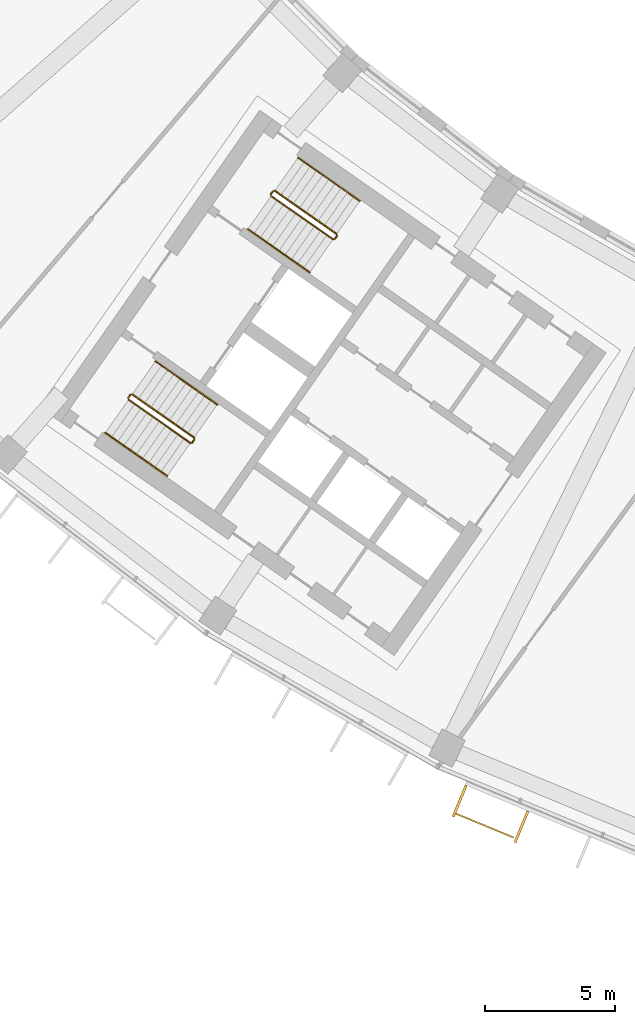
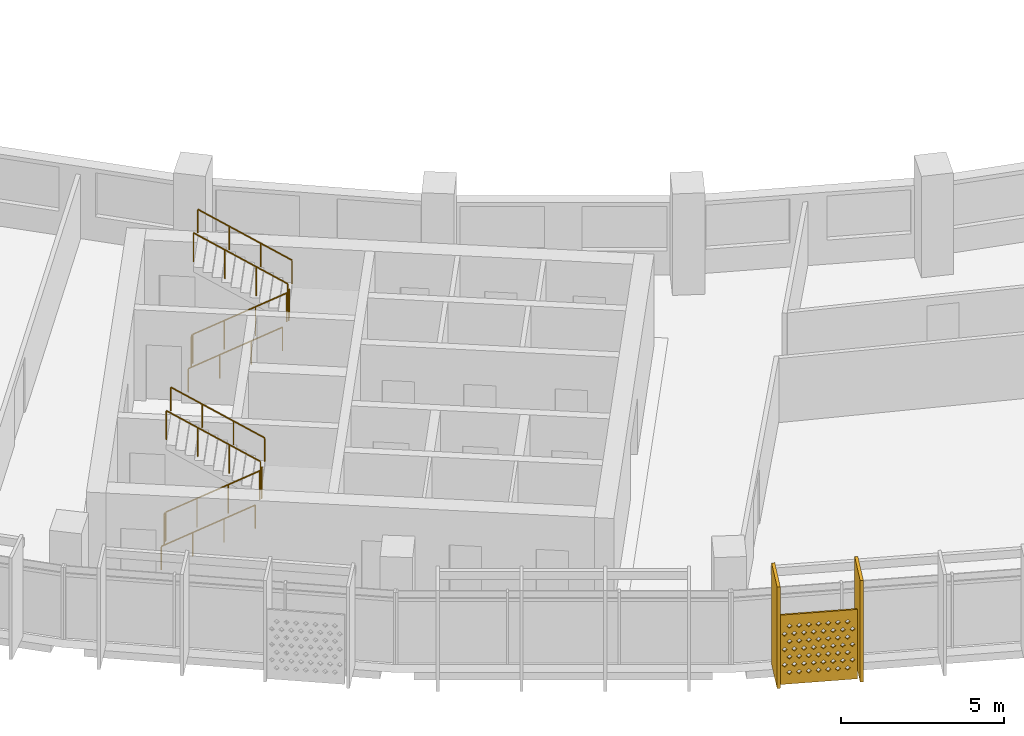
# One storey, part 23 of 28: 10 railings, 3 shading devices.
"""IFC4 building model written with IfcOpenShell, lengths in metres."""

from ifc_helpers import new_model, si_unit, direction, frame, origin, origin_2d, place, context, subcontext, project, spatial, polyline, rectangle, circle, outline, extrude, material, material_profile, profile_set, type_object, element, save


model = new_model("IFC4")

# Units and contexts
model_context = context("Model", 3, precision=1e-05, world=origin(), true_north=direction((0.0, 1.0)))
body_context = subcontext(model_context, "Body", "Model", "MODEL_VIEW")
ifc_project = project(units=[si_unit("LENGTHUNIT", "METRE"), si_unit("AREAUNIT", "SQUARE_METRE"), si_unit("VOLUMEUNIT", "CUBIC_METRE"), si_unit("PLANEANGLEUNIT", "RADIAN"), si_unit("MASSUNIT", "GRAM", prefix="KILO")], contexts=[model_context])

# Site, building, storey
site_placement = place(None, origin())
site = spatial("IfcSite", under=ifc_project, at=site_placement, CompositionType="ELEMENT")
building_placement = place(site_placement, origin())
building = spatial("IfcBuilding", under=site, at=building_placement, Name="Qamariyya Broadcast Tower", CompositionType="ELEMENT")
storey_placement = place(building_placement, frame((0.0, 0.0, 249.300048828125)))
storey = spatial("IfcBuildingStorey", under=building, at=storey_placement, Name="L60", CompositionType="ELEMENT", Elevation=249.300048828125)

# Shading device
ifc_material_1 = material(Name="Perforated glazed terracotta", Category="masonry")
ifc_material_profile_1 = material_profile(ifc_material_1, outline(polyline([(-1.199951171875, -1.300048828125), (1.199951171875, -1.300048828125), (1.199951171875, 1.300048828125), (-1.199951171875, 1.300048828125), (-1.199951171875, -1.300048828125)]), holes=[polyline([(-0.81494140625, -0.86669921875), (-0.89990234375, -0.78173828125), (-0.985107421875, -0.86669921875), (-0.89990234375, -0.95166015625), (-0.81494140625, -0.86669921875)]), polyline([(-0.514892578125, -0.86669921875), (-0.60009765625, -0.78173828125), (-0.68505859375, -0.86669921875), (-0.60009765625, -0.95166015625), (-0.514892578125, -0.86669921875)]), polyline([(-0.215087890625, -0.86669921875), (-0.300048828125, -0.78173828125), (-0.385009765625, -0.86669921875), (-0.300048828125, -0.95166015625), (-0.215087890625, -0.86669921875)]), polyline([(0.0849609375, -0.86669921875), (0.0, -0.78173828125), (-0.0849609375, -0.86669921875), (0.0, -0.95166015625), (0.0849609375, -0.86669921875)]), polyline([(0.385009765625, -0.86669921875), (0.300048828125, -0.78173828125), (0.215087890625, -0.86669921875), (0.300048828125, -0.95166015625), (0.385009765625, -0.86669921875)]), polyline([(0.68505859375, -0.86669921875), (0.60009765625, -0.78173828125), (0.514892578125, -0.86669921875), (0.60009765625, -0.95166015625), (0.68505859375, -0.86669921875)]), polyline([(0.985107421875, -0.86669921875), (0.89990234375, -0.78173828125), (0.81494140625, -0.86669921875), (0.89990234375, -0.95166015625), (0.985107421875, -0.86669921875)]), polyline([(-0.965087890625, -0.577880859375), (-1.050048828125, -0.49267578125), (-1.135009765625, -0.577880859375), (-1.050048828125, -0.662841796875), (-0.965087890625, -0.577880859375)]), polyline([(-0.6650390625, -0.577880859375), (-0.75, -0.49267578125), (-0.8349609375, -0.577880859375), (-0.75, -0.662841796875), (-0.6650390625, -0.577880859375)]), polyline([(-0.364990234375, -0.577880859375), (-0.449951171875, -0.49267578125), (-0.534912109375, -0.577880859375), (-0.449951171875, -0.662841796875), (-0.364990234375, -0.577880859375)]), polyline([(-0.06494140625, -0.577880859375), (-0.14990234375, -0.49267578125), (-0.235107421875, -0.577880859375), (-0.14990234375, -0.662841796875), (-0.06494140625, -0.577880859375)]), polyline([(0.235107421875, -0.577880859375), (0.14990234375, -0.49267578125), (0.06494140625, -0.577880859375), (0.14990234375, -0.662841796875), (0.235107421875, -0.577880859375)]), polyline([(0.534912109375, -0.577880859375), (0.449951171875, -0.49267578125), (0.364990234375, -0.577880859375), (0.449951171875, -0.662841796875), (0.534912109375, -0.577880859375)]), polyline([(0.8349609375, -0.577880859375), (0.75, -0.49267578125), (0.6650390625, -0.577880859375), (0.75, -0.662841796875), (0.8349609375, -0.577880859375)]), polyline([(1.135009765625, -0.577880859375), (1.050048828125, -0.49267578125), (0.965087890625, -0.577880859375), (1.050048828125, -0.662841796875), (1.135009765625, -0.577880859375)]), polyline([(-0.81494140625, -0.288818359375), (-0.89990234375, -0.203857421875), (-0.985107421875, -0.288818359375), (-0.89990234375, -0.373779296875), (-0.81494140625, -0.288818359375)]), polyline([(-0.514892578125, -0.288818359375), (-0.60009765625, -0.203857421875), (-0.68505859375, -0.288818359375), (-0.60009765625, -0.373779296875), (-0.514892578125, -0.288818359375)]), polyline([(-0.215087890625, -0.288818359375), (-0.300048828125, -0.203857421875), (-0.385009765625, -0.288818359375), (-0.300048828125, -0.373779296875), (-0.215087890625, -0.288818359375)]), polyline([(0.0849609375, -0.288818359375), (0.0, -0.203857421875), (-0.0849609375, -0.288818359375), (0.0, -0.373779296875), (0.0849609375, -0.288818359375)]), polyline([(0.385009765625, -0.288818359375), (0.300048828125, -0.203857421875), (0.215087890625, -0.288818359375), (0.300048828125, -0.373779296875), (0.385009765625, -0.288818359375)]), polyline([(0.68505859375, -0.288818359375), (0.60009765625, -0.203857421875), (0.514892578125, -0.288818359375), (0.60009765625, -0.373779296875), (0.68505859375, -0.288818359375)]), polyline([(0.985107421875, -0.288818359375), (0.89990234375, -0.203857421875), (0.81494140625, -0.288818359375), (0.89990234375, -0.373779296875), (0.985107421875, -0.288818359375)]), polyline([(-0.965087890625, 0.0), (-1.050048828125, 0.0849609375), (-1.135009765625, 0.0), (-1.050048828125, -0.0849609375), (-0.965087890625, 0.0)]), polyline([(-0.6650390625, 0.0), (-0.75, 0.0849609375), (-0.8349609375, 0.0), (-0.75, -0.0849609375), (-0.6650390625, 0.0)]), polyline([(-0.364990234375, 0.0), (-0.449951171875, 0.0849609375), (-0.534912109375, 0.0), (-0.449951171875, -0.0849609375), (-0.364990234375, 0.0)]), polyline([(-0.06494140625, 0.0), (-0.14990234375, 0.0849609375), (-0.235107421875, 0.0), (-0.14990234375, -0.0849609375), (-0.06494140625, 0.0)]), polyline([(0.235107421875, 0.0), (0.14990234375, 0.0849609375), (0.06494140625, 0.0), (0.14990234375, -0.0849609375), (0.235107421875, 0.0)]), polyline([(0.534912109375, 0.0), (0.449951171875, 0.0849609375), (0.364990234375, 0.0), (0.449951171875, -0.0849609375), (0.534912109375, 0.0)]), polyline([(0.8349609375, 0.0), (0.75, 0.0849609375), (0.6650390625, 0.0), (0.75, -0.0849609375), (0.8349609375, 0.0)]), polyline([(1.135009765625, 0.0), (1.050048828125, 0.0849609375), (0.965087890625, 0.0), (1.050048828125, -0.0849609375), (1.135009765625, 0.0)]), polyline([(-0.81494140625, 0.288818359375), (-0.89990234375, 0.373779296875), (-0.985107421875, 0.288818359375), (-0.89990234375, 0.203857421875), (-0.81494140625, 0.288818359375)]), polyline([(-0.514892578125, 0.288818359375), (-0.60009765625, 0.373779296875), (-0.68505859375, 0.288818359375), (-0.60009765625, 0.203857421875), (-0.514892578125, 0.288818359375)]), polyline([(-0.215087890625, 0.288818359375), (-0.300048828125, 0.373779296875), (-0.385009765625, 0.288818359375), (-0.300048828125, 0.203857421875), (-0.215087890625, 0.288818359375)]), polyline([(0.0849609375, 0.288818359375), (0.0, 0.373779296875), (-0.0849609375, 0.288818359375), (0.0, 0.203857421875), (0.0849609375, 0.288818359375)]), polyline([(0.385009765625, 0.288818359375), (0.300048828125, 0.373779296875), (0.215087890625, 0.288818359375), (0.300048828125, 0.203857421875), (0.385009765625, 0.288818359375)]), polyline([(0.68505859375, 0.288818359375), (0.60009765625, 0.373779296875), (0.514892578125, 0.288818359375), (0.60009765625, 0.203857421875), (0.68505859375, 0.288818359375)]), polyline([(0.985107421875, 0.288818359375), (0.89990234375, 0.373779296875), (0.81494140625, 0.288818359375), (0.89990234375, 0.203857421875), (0.985107421875, 0.288818359375)]), polyline([(-0.965087890625, 0.577880859375), (-1.050048828125, 0.662841796875), (-1.135009765625, 0.577880859375), (-1.050048828125, 0.49267578125), (-0.965087890625, 0.577880859375)]), polyline([(-0.6650390625, 0.577880859375), (-0.75, 0.662841796875), (-0.8349609375, 0.577880859375), (-0.75, 0.49267578125), (-0.6650390625, 0.577880859375)]), polyline([(-0.364990234375, 0.577880859375), (-0.449951171875, 0.662841796875), (-0.534912109375, 0.577880859375), (-0.449951171875, 0.49267578125), (-0.364990234375, 0.577880859375)]), polyline([(-0.06494140625, 0.577880859375), (-0.14990234375, 0.662841796875), (-0.235107421875, 0.577880859375), (-0.14990234375, 0.49267578125), (-0.06494140625, 0.577880859375)]), polyline([(0.235107421875, 0.577880859375), (0.14990234375, 0.662841796875), (0.06494140625, 0.577880859375), (0.14990234375, 0.49267578125), (0.235107421875, 0.577880859375)]), polyline([(0.534912109375, 0.577880859375), (0.449951171875, 0.662841796875), (0.364990234375, 0.577880859375), (0.449951171875, 0.49267578125), (0.534912109375, 0.577880859375)]), polyline([(0.8349609375, 0.577880859375), (0.75, 0.662841796875), (0.6650390625, 0.577880859375), (0.75, 0.49267578125), (0.8349609375, 0.577880859375)]), polyline([(1.135009765625, 0.577880859375), (1.050048828125, 0.662841796875), (0.965087890625, 0.577880859375), (1.050048828125, 0.49267578125), (1.135009765625, 0.577880859375)]), polyline([(-0.81494140625, 0.86669921875), (-0.89990234375, 0.95166015625), (-0.985107421875, 0.86669921875), (-0.89990234375, 0.78173828125), (-0.81494140625, 0.86669921875)]), polyline([(-0.514892578125, 0.86669921875), (-0.60009765625, 0.95166015625), (-0.68505859375, 0.86669921875), (-0.60009765625, 0.78173828125), (-0.514892578125, 0.86669921875)]), polyline([(-0.215087890625, 0.86669921875), (-0.300048828125, 0.95166015625), (-0.385009765625, 0.86669921875), (-0.300048828125, 0.78173828125), (-0.215087890625, 0.86669921875)]), polyline([(0.0849609375, 0.86669921875), (0.0, 0.95166015625), (-0.0849609375, 0.86669921875), (0.0, 0.78173828125), (0.0849609375, 0.86669921875)]), polyline([(0.385009765625, 0.86669921875), (0.300048828125, 0.95166015625), (0.215087890625, 0.86669921875), (0.300048828125, 0.78173828125), (0.385009765625, 0.86669921875)]), polyline([(0.68505859375, 0.86669921875), (0.60009765625, 0.95166015625), (0.514892578125, 0.86669921875), (0.60009765625, 0.78173828125), (0.68505859375, 0.86669921875)]), polyline([(0.985107421875, 0.86669921875), (0.89990234375, 0.95166015625), (0.81494140625, 0.86669921875), (0.89990234375, 0.78173828125), (0.985107421875, 0.86669921875)])]))
ifc_profile_set_1 = profile_set([ifc_material_profile_1], Name="Perforated glazed terracotta")
shading_device_type_1 = type_object("IfcShadingDeviceType", Name="Perforated terracotta screen 2400 x 2600", PredefinedType="USERDEFINED", material=ifc_profile_set_1)
shading_device_placement = place(storey_placement, frame((-32.928955078125, -72.682861328125, 1.349853515625), z_axis=(-0.382591441855, -0.923917630863, 0.0), x_axis=(0.923917630863, -0.382591441855, 0.0)))
element("IfcShadingDevice", 1, at=shading_device_placement, inside=storey, type_object=shading_device_type_1, Name="e-scr-L60-05-0", ObjectType="SCREEN", PredefinedType="USERDEFINED", context=body_context, shape_type="SweptSolid", body=[
    extrude(outline(polyline([(-1.199951171875, -1.300048828125), (1.199951171875, -1.300048828125), (1.199951171875, 1.300048828125), (-1.199951171875, 1.300048828125), (-1.199951171875, -1.300048828125)]), holes=[polyline([(-0.81494140625, -0.86669921875), (-0.89990234375, -0.78173828125), (-0.985107421875, -0.86669921875), (-0.89990234375, -0.95166015625), (-0.81494140625, -0.86669921875)]), polyline([(-0.514892578125, -0.86669921875), (-0.60009765625, -0.78173828125), (-0.68505859375, -0.86669921875), (-0.60009765625, -0.95166015625), (-0.514892578125, -0.86669921875)]), polyline([(-0.215087890625, -0.86669921875), (-0.300048828125, -0.78173828125), (-0.385009765625, -0.86669921875), (-0.300048828125, -0.95166015625), (-0.215087890625, -0.86669921875)]), polyline([(0.0849609375, -0.86669921875), (0.0, -0.78173828125), (-0.0849609375, -0.86669921875), (0.0, -0.95166015625), (0.0849609375, -0.86669921875)]), polyline([(0.385009765625, -0.86669921875), (0.300048828125, -0.78173828125), (0.215087890625, -0.86669921875), (0.300048828125, -0.95166015625), (0.385009765625, -0.86669921875)]), polyline([(0.68505859375, -0.86669921875), (0.60009765625, -0.78173828125), (0.514892578125, -0.86669921875), (0.60009765625, -0.95166015625), (0.68505859375, -0.86669921875)]), polyline([(0.985107421875, -0.86669921875), (0.89990234375, -0.78173828125), (0.81494140625, -0.86669921875), (0.89990234375, -0.95166015625), (0.985107421875, -0.86669921875)]), polyline([(-0.965087890625, -0.577880859375), (-1.050048828125, -0.49267578125), (-1.135009765625, -0.577880859375), (-1.050048828125, -0.662841796875), (-0.965087890625, -0.577880859375)]), polyline([(-0.6650390625, -0.577880859375), (-0.75, -0.49267578125), (-0.8349609375, -0.577880859375), (-0.75, -0.662841796875), (-0.6650390625, -0.577880859375)]), polyline([(-0.364990234375, -0.577880859375), (-0.449951171875, -0.49267578125), (-0.534912109375, -0.577880859375), (-0.449951171875, -0.662841796875), (-0.364990234375, -0.577880859375)]), polyline([(-0.06494140625, -0.577880859375), (-0.14990234375, -0.49267578125), (-0.235107421875, -0.577880859375), (-0.14990234375, -0.662841796875), (-0.06494140625, -0.577880859375)]), polyline([(0.235107421875, -0.577880859375), (0.14990234375, -0.49267578125), (0.06494140625, -0.577880859375), (0.14990234375, -0.662841796875), (0.235107421875, -0.577880859375)]), polyline([(0.534912109375, -0.577880859375), (0.449951171875, -0.49267578125), (0.364990234375, -0.577880859375), (0.449951171875, -0.662841796875), (0.534912109375, -0.577880859375)]), polyline([(0.8349609375, -0.577880859375), (0.75, -0.49267578125), (0.6650390625, -0.577880859375), (0.75, -0.662841796875), (0.8349609375, -0.577880859375)]), polyline([(1.135009765625, -0.577880859375), (1.050048828125, -0.49267578125), (0.965087890625, -0.577880859375), (1.050048828125, -0.662841796875), (1.135009765625, -0.577880859375)]), polyline([(-0.81494140625, -0.288818359375), (-0.89990234375, -0.203857421875), (-0.985107421875, -0.288818359375), (-0.89990234375, -0.373779296875), (-0.81494140625, -0.288818359375)]), polyline([(-0.514892578125, -0.288818359375), (-0.60009765625, -0.203857421875), (-0.68505859375, -0.288818359375), (-0.60009765625, -0.373779296875), (-0.514892578125, -0.288818359375)]), polyline([(-0.215087890625, -0.288818359375), (-0.300048828125, -0.203857421875), (-0.385009765625, -0.288818359375), (-0.300048828125, -0.373779296875), (-0.215087890625, -0.288818359375)]), polyline([(0.0849609375, -0.288818359375), (0.0, -0.203857421875), (-0.0849609375, -0.288818359375), (0.0, -0.373779296875), (0.0849609375, -0.288818359375)]), polyline([(0.385009765625, -0.288818359375), (0.300048828125, -0.203857421875), (0.215087890625, -0.288818359375), (0.300048828125, -0.373779296875), (0.385009765625, -0.288818359375)]), polyline([(0.68505859375, -0.288818359375), (0.60009765625, -0.203857421875), (0.514892578125, -0.288818359375), (0.60009765625, -0.373779296875), (0.68505859375, -0.288818359375)]), polyline([(0.985107421875, -0.288818359375), (0.89990234375, -0.203857421875), (0.81494140625, -0.288818359375), (0.89990234375, -0.373779296875), (0.985107421875, -0.288818359375)]), polyline([(-0.965087890625, 0.0), (-1.050048828125, 0.0849609375), (-1.135009765625, 0.0), (-1.050048828125, -0.0849609375), (-0.965087890625, 0.0)]), polyline([(-0.6650390625, 0.0), (-0.75, 0.0849609375), (-0.8349609375, 0.0), (-0.75, -0.0849609375), (-0.6650390625, 0.0)]), polyline([(-0.364990234375, 0.0), (-0.449951171875, 0.0849609375), (-0.534912109375, 0.0), (-0.449951171875, -0.0849609375), (-0.364990234375, 0.0)]), polyline([(-0.06494140625, 0.0), (-0.14990234375, 0.0849609375), (-0.235107421875, 0.0), (-0.14990234375, -0.0849609375), (-0.06494140625, 0.0)]), polyline([(0.235107421875, 0.0), (0.14990234375, 0.0849609375), (0.06494140625, 0.0), (0.14990234375, -0.0849609375), (0.235107421875, 0.0)]), polyline([(0.534912109375, 0.0), (0.449951171875, 0.0849609375), (0.364990234375, 0.0), (0.449951171875, -0.0849609375), (0.534912109375, 0.0)]), polyline([(0.8349609375, 0.0), (0.75, 0.0849609375), (0.6650390625, 0.0), (0.75, -0.0849609375), (0.8349609375, 0.0)]), polyline([(1.135009765625, 0.0), (1.050048828125, 0.0849609375), (0.965087890625, 0.0), (1.050048828125, -0.0849609375), (1.135009765625, 0.0)]), polyline([(-0.81494140625, 0.288818359375), (-0.89990234375, 0.373779296875), (-0.985107421875, 0.288818359375), (-0.89990234375, 0.203857421875), (-0.81494140625, 0.288818359375)]), polyline([(-0.514892578125, 0.288818359375), (-0.60009765625, 0.373779296875), (-0.68505859375, 0.288818359375), (-0.60009765625, 0.203857421875), (-0.514892578125, 0.288818359375)]), polyline([(-0.215087890625, 0.288818359375), (-0.300048828125, 0.373779296875), (-0.385009765625, 0.288818359375), (-0.300048828125, 0.203857421875), (-0.215087890625, 0.288818359375)]), polyline([(0.0849609375, 0.288818359375), (0.0, 0.373779296875), (-0.0849609375, 0.288818359375), (0.0, 0.203857421875), (0.0849609375, 0.288818359375)]), polyline([(0.385009765625, 0.288818359375), (0.300048828125, 0.373779296875), (0.215087890625, 0.288818359375), (0.300048828125, 0.203857421875), (0.385009765625, 0.288818359375)]), polyline([(0.68505859375, 0.288818359375), (0.60009765625, 0.373779296875), (0.514892578125, 0.288818359375), (0.60009765625, 0.203857421875), (0.68505859375, 0.288818359375)]), polyline([(0.985107421875, 0.288818359375), (0.89990234375, 0.373779296875), (0.81494140625, 0.288818359375), (0.89990234375, 0.203857421875), (0.985107421875, 0.288818359375)]), polyline([(-0.965087890625, 0.577880859375), (-1.050048828125, 0.662841796875), (-1.135009765625, 0.577880859375), (-1.050048828125, 0.49267578125), (-0.965087890625, 0.577880859375)]), polyline([(-0.6650390625, 0.577880859375), (-0.75, 0.662841796875), (-0.8349609375, 0.577880859375), (-0.75, 0.49267578125), (-0.6650390625, 0.577880859375)]), polyline([(-0.364990234375, 0.577880859375), (-0.449951171875, 0.662841796875), (-0.534912109375, 0.577880859375), (-0.449951171875, 0.49267578125), (-0.364990234375, 0.577880859375)]), polyline([(-0.06494140625, 0.577880859375), (-0.14990234375, 0.662841796875), (-0.235107421875, 0.577880859375), (-0.14990234375, 0.49267578125), (-0.06494140625, 0.577880859375)]), polyline([(0.235107421875, 0.577880859375), (0.14990234375, 0.662841796875), (0.06494140625, 0.577880859375), (0.14990234375, 0.49267578125), (0.235107421875, 0.577880859375)]), polyline([(0.534912109375, 0.577880859375), (0.449951171875, 0.662841796875), (0.364990234375, 0.577880859375), (0.449951171875, 0.49267578125), (0.534912109375, 0.577880859375)]), polyline([(0.8349609375, 0.577880859375), (0.75, 0.662841796875), (0.6650390625, 0.577880859375), (0.75, 0.49267578125), (0.8349609375, 0.577880859375)]), polyline([(1.135009765625, 0.577880859375), (1.050048828125, 0.662841796875), (0.965087890625, 0.577880859375), (1.050048828125, 0.49267578125), (1.135009765625, 0.577880859375)]), polyline([(-0.81494140625, 0.86669921875), (-0.89990234375, 0.95166015625), (-0.985107421875, 0.86669921875), (-0.89990234375, 0.78173828125), (-0.81494140625, 0.86669921875)]), polyline([(-0.514892578125, 0.86669921875), (-0.60009765625, 0.95166015625), (-0.68505859375, 0.86669921875), (-0.60009765625, 0.78173828125), (-0.514892578125, 0.86669921875)]), polyline([(-0.215087890625, 0.86669921875), (-0.300048828125, 0.95166015625), (-0.385009765625, 0.86669921875), (-0.300048828125, 0.78173828125), (-0.215087890625, 0.86669921875)]), polyline([(0.0849609375, 0.86669921875), (0.0, 0.95166015625), (-0.0849609375, 0.86669921875), (0.0, 0.78173828125), (0.0849609375, 0.86669921875)]), polyline([(0.385009765625, 0.86669921875), (0.300048828125, 0.95166015625), (0.215087890625, 0.86669921875), (0.300048828125, 0.78173828125), (0.385009765625, 0.86669921875)]), polyline([(0.68505859375, 0.86669921875), (0.60009765625, 0.95166015625), (0.514892578125, 0.86669921875), (0.60009765625, 0.78173828125), (0.68505859375, 0.86669921875)]), polyline([(0.985107421875, 0.86669921875), (0.89990234375, 0.95166015625), (0.81494140625, 0.86669921875), (0.89990234375, 0.78173828125), (0.985107421875, 0.86669921875)])]), origin(), (0.0, 0.0, 1.0), 0.06005859375),
])

# Railings
ifc_material_2 = material(Name="Painted steel", Category="steel")
railing_type_1 = type_object("IfcRailingType", Name="Stair guard", PredefinedType="GUARDRAIL", material=ifc_material_2)
railing_1_placement = place(storey_placement, frame((-41.146728515625, -48.52490234375, 0.172607421875)))
element("IfcRailing", 2, at=railing_1_placement, inside=storey, type_object=railing_type_1, Name="L60 ST-W2 stair guard 1", PredefinedType="GUARDRAIL", context=body_context, shape_type="SweptSolid", body=[
    extrude(circle(Radius=0.02392578125, at=origin_2d()), frame((0.0, 0.0, 1.076171875), z_axis=(0.703770094002, -0.492783725636, 0.511734163933), x_axis=(0.573575343427, 0.819152809562, 0.0)), (0.0, 0.0, 1.0), 3.37548828125),
    extrude(circle(Radius=0.02392578125, at=origin_2d()), frame((2.37548828125, -1.663330078125, 2.80322265625), z_axis=(0.985059694769, 0.172213233351, 0.0), x_axis=(-0.172213233351, 0.985059694769, 0.0)), (0.0, 0.0, 1.0), 0.07080078125),
    extrude(circle(Radius=0.02392578125, at=origin_2d()), frame((2.4453125, -1.651123046875, 2.80322265625), z_axis=(0.572588637393, 0.819842821722, 0.0), x_axis=(-0.819842821722, 0.572588637393, 0.0)), (0.0, 0.0, 1.0), 0.150146484375),
    extrude(circle(Radius=0.02099609375, at=origin_2d()), origin(), (0.0, 0.0, 1.0), 1.052001953125),
    extrude(circle(Radius=0.02099609375, at=origin_2d()), frame((0.791748046875, -0.554443359375, 0.57568359375)), (0.0, 0.0, 1.0), 1.052001953125),
    extrude(circle(Radius=0.02099609375, at=origin_2d()), frame((1.583740234375, -1.10888671875, 1.151611328125)), (0.0, 0.0, 1.0), 1.052001953125),
    extrude(circle(Radius=0.02099609375, at=origin_2d()), frame((2.37548828125, -1.663330078125, 1.727294921875)), (0.0, 0.0, 1.0), 1.052001953125),
    extrude(circle(Radius=0.02099609375, at=origin_2d()), frame((2.4453125, -1.651123046875, 1.727294921875)), (0.0, 0.0, 1.0), 1.052001953125),
    extrude(circle(Radius=0.02099609375, at=origin_2d()), frame((2.53125, -1.528076171875, 1.727294921875)), (0.0, 0.0, 1.0), 1.052001953125),
])
railing_2_placement = place(storey_placement, frame((-38.627685546875, -49.9833984375, 2.07275390625)))
element("IfcRailing", 3, at=railing_2_placement, inside=storey, type_object=railing_type_1, Name="L60 ST-W2 stair guard 2", PredefinedType="GUARDRAIL", context=body_context, shape_type="SweptSolid", body=[
    extrude(circle(Radius=0.02392578125, at=origin_2d()), frame((0.0, 0.0, 1.076171875), z_axis=(-0.703770094002, 0.492783725636, 0.511734163933), x_axis=(-0.573575343427, -0.819152809562, 0.0)), (0.0, 0.0, 1.0), 3.37548828125),
    extrude(circle(Radius=0.02099609375, at=origin_2d()), origin(), (0.0, 0.0, 1.0), 1.052001953125),
    extrude(circle(Radius=0.02099609375, at=origin_2d()), frame((-0.791748046875, 0.554443359375, 0.57568359375)), (0.0, 0.0, 1.0), 1.052001953125),
    extrude(circle(Radius=0.02099609375, at=origin_2d()), frame((-1.583740234375, 1.10888671875, 1.151611328125)), (0.0, 0.0, 1.0), 1.052001953125),
    extrude(circle(Radius=0.02099609375, at=origin_2d()), frame((-2.37548828125, 1.663330078125, 1.727294921875)), (0.0, 0.0, 1.0), 1.052001953125),
])
railing_3_placement = place(storey_placement, frame((-41.158935546875, -48.455322265625, 0.0)))
element("IfcRailing", 4, at=railing_3_placement, inside=storey, type_object=railing_type_1, Name="L60 ST-W2 stair guard 3", PredefinedType="GUARDRAIL", context=body_context, shape_type="SweptSolid", body=[
    extrude(circle(Radius=0.02392578125, at=origin_2d()), frame((0.0, 0.0, 1.076171875), z_axis=(0.572588637393, 0.819842821722, 0.0), x_axis=(-0.819842821722, 0.572588637393, 0.0)), (0.0, 0.0, 1.0), 0.150146484375),
    extrude(circle(Radius=0.02099609375, at=origin_2d()), origin(), (0.0, 0.0, 1.0), 1.052001953125),
    extrude(circle(Radius=0.02099609375, at=origin_2d()), frame((0.0859375, 0.123046875, 0.0)), (0.0, 0.0, 1.0), 1.052001953125),
])
railing_4_placement = place(storey_placement, frame((-46.624267578125, -56.34765625, 0.172607421875)))
element("IfcRailing", 5, at=railing_4_placement, inside=storey, type_object=railing_type_1, Name="L60 ST-W1 stair guard 1", PredefinedType="GUARDRAIL", context=body_context, shape_type="SweptSolid", body=[
    extrude(circle(Radius=0.02392578125, at=origin_2d()), frame((0.0, 0.0, 1.076171875), z_axis=(0.703745009021, -0.492838488332, 0.511715923826), x_axis=(0.573631830683, 0.819113253969, 0.0)), (0.0, 0.0, 1.0), 3.37548828125),
    extrude(circle(Radius=0.02392578125, at=origin_2d()), frame((2.37548828125, -1.66357421875, 2.80322265625), z_axis=(0.984363469884, 0.176149252506, 0.0), x_axis=(-0.176149252506, 0.984363469884, 0.0)), (0.0, 0.0, 1.0), 0.07080078125),
    extrude(circle(Radius=0.02392578125, at=origin_2d()), frame((2.445068359375, -1.651123046875, 2.80322265625), z_axis=(0.574444878118, 0.818543268254, 0.0), x_axis=(-0.818543268254, 0.574444878118, 0.0)), (0.0, 0.0, 1.0), 0.150146484375),
    extrude(circle(Radius=0.02099609375, at=origin_2d()), origin(), (0.0, 0.0, 1.0), 1.052001953125),
    extrude(circle(Radius=0.02099609375, at=origin_2d()), frame((0.791748046875, -0.554443359375, 0.57568359375)), (0.0, 0.0, 1.0), 1.052001953125),
    extrude(circle(Radius=0.02099609375, at=origin_2d()), frame((1.583740234375, -1.109130859375, 1.151611328125)), (0.0, 0.0, 1.0), 1.052001953125),
    extrude(circle(Radius=0.02099609375, at=origin_2d()), frame((2.37548828125, -1.66357421875, 1.727294921875)), (0.0, 0.0, 1.0), 1.052001953125),
    extrude(circle(Radius=0.02099609375, at=origin_2d()), frame((2.445068359375, -1.651123046875, 1.727294921875)), (0.0, 0.0, 1.0), 1.052001953125),
    extrude(circle(Radius=0.02099609375, at=origin_2d()), frame((2.53125, -1.5283203125, 1.727294921875)), (0.0, 0.0, 1.0), 1.052001953125),
])
railing_5_placement = place(storey_placement, frame((-44.10546875, -57.806396484375, 2.07275390625)))
element("IfcRailing", 6, at=railing_5_placement, inside=storey, type_object=railing_type_1, Name="L60 ST-W1 stair guard 2", PredefinedType="GUARDRAIL", context=body_context, shape_type="SweptSolid", body=[
    extrude(circle(Radius=0.02392578125, at=origin_2d()), frame((0.0, 0.0, 1.076171875), z_axis=(-0.703770094002, 0.492783725636, 0.511734163933), x_axis=(-0.573575343427, -0.819152809562, 0.0)), (0.0, 0.0, 1.0), 3.37548828125),
    extrude(circle(Radius=0.02099609375, at=origin_2d()), origin(), (0.0, 0.0, 1.0), 1.052001953125),
    extrude(circle(Radius=0.02099609375, at=origin_2d()), frame((-0.791748046875, 0.554443359375, 0.57568359375)), (0.0, 0.0, 1.0), 1.052001953125),
    extrude(circle(Radius=0.02099609375, at=origin_2d()), frame((-1.583740234375, 1.10888671875, 1.151611328125)), (0.0, 0.0, 1.0), 1.052001953125),
    extrude(circle(Radius=0.02099609375, at=origin_2d()), frame((-2.37548828125, 1.663330078125, 1.727294921875)), (0.0, 0.0, 1.0), 1.052001953125),
])
railing_6_placement = place(storey_placement, frame((-46.63671875, -56.278076171875, 0.0)))
element("IfcRailing", 7, at=railing_6_placement, inside=storey, type_object=railing_type_1, Name="L60 ST-W1 stair guard 3", PredefinedType="GUARDRAIL", context=body_context, shape_type="SweptSolid", body=[
    extrude(circle(Radius=0.02392578125, at=origin_2d()), frame((0.0, 0.0, 1.076171875), z_axis=(0.574444878118, 0.818543268254, 0.0), x_axis=(-0.818543268254, 0.574444878118, 0.0)), (0.0, 0.0, 1.0), 0.150146484375),
    extrude(circle(Radius=0.02099609375, at=origin_2d()), origin(), (0.0, 0.0, 1.0), 1.052001953125),
    extrude(circle(Radius=0.02099609375, at=origin_2d()), frame((0.086181640625, 0.122802734375, 0.0)), (0.0, 0.0, 1.0), 1.052001953125),
])
ifc_material_3 = material(Name="Stainless steel", Category="steel")
railing_type_2 = type_object("IfcRailingType", Name="Stair handrail", PredefinedType="HANDRAIL", material=ifc_material_3)
railing_7_placement = place(storey_placement, frame((-42.03564453125, -49.79443359375, 0.172607421875)))
element("IfcRailing", 8, at=railing_7_placement, inside=storey, type_object=railing_type_2, Name="L60 ST-W2 stair handrail 1", PredefinedType="HANDRAIL", context=body_context, shape_type="SweptSolid", body=[
    extrude(circle(Radius=0.02392578125, at=origin_2d()), frame((0.0, 0.0, 0.8759765625), z_axis=(0.703745009021, -0.492838488332, 0.511715923826), x_axis=(0.573631830683, 0.819113253969, 0.0)), (0.0, 0.0, 1.0), 3.37548828125),
    extrude(circle(Radius=0.02099609375, at=origin_2d()), origin(), (0.0, 0.0, 1.0), 0.851806640625),
    extrude(circle(Radius=0.02099609375, at=origin_2d()), frame((0.791748046875, -0.554443359375, 0.57568359375)), (0.0, 0.0, 1.0), 0.851806640625),
    extrude(circle(Radius=0.02099609375, at=origin_2d()), frame((1.583740234375, -1.109130859375, 1.151611328125)), (0.0, 0.0, 1.0), 0.851806640625),
    extrude(circle(Radius=0.02099609375, at=origin_2d()), frame((2.37548828125, -1.66357421875, 1.727294921875)), (0.0, 0.0, 1.0), 0.851806640625),
])
railing_8_placement = place(storey_placement, frame((-37.73876953125, -48.7138671875, 2.07275390625)))
element("IfcRailing", 9, at=railing_8_placement, inside=storey, type_object=railing_type_2, Name="L60 ST-W2 stair handrail 2", PredefinedType="HANDRAIL", context=body_context, shape_type="SweptSolid", body=[
    extrude(circle(Radius=0.02392578125, at=origin_2d()), frame((0.0, 0.0, 0.8759765625), z_axis=(-0.703745009021, 0.492838488332, 0.511715923826), x_axis=(-0.573631830683, -0.819113253969, 0.0)), (0.0, 0.0, 1.0), 3.37548828125),
    extrude(circle(Radius=0.02099609375, at=origin_2d()), origin(), (0.0, 0.0, 1.0), 0.851806640625),
    extrude(circle(Radius=0.02099609375, at=origin_2d()), frame((-0.791748046875, 0.554443359375, 0.57568359375)), (0.0, 0.0, 1.0), 0.851806640625),
    extrude(circle(Radius=0.02099609375, at=origin_2d()), frame((-1.583740234375, 1.109130859375, 1.151611328125)), (0.0, 0.0, 1.0), 0.851806640625),
    extrude(circle(Radius=0.02099609375, at=origin_2d()), frame((-2.37548828125, 1.66357421875, 1.727294921875)), (0.0, 0.0, 1.0), 0.851806640625),
])
railing_9_placement = place(storey_placement, frame((-47.513427734375, -57.617431640625, 0.172607421875)))
element("IfcRailing", 10, at=railing_9_placement, inside=storey, type_object=railing_type_2, Name="L60 ST-W1 stair handrail 1", PredefinedType="HANDRAIL", context=body_context, shape_type="SweptSolid", body=[
    extrude(circle(Radius=0.02392578125, at=origin_2d()), frame((0.0, 0.0, 0.8759765625), z_axis=(0.703770094002, -0.492783725636, 0.511734163933), x_axis=(0.573575343427, 0.819152809562, 0.0)), (0.0, 0.0, 1.0), 3.37548828125),
    extrude(circle(Radius=0.02099609375, at=origin_2d()), origin(), (0.0, 0.0, 1.0), 0.851806640625),
    extrude(circle(Radius=0.02099609375, at=origin_2d()), frame((0.791748046875, -0.554443359375, 0.57568359375)), (0.0, 0.0, 1.0), 0.851806640625),
    extrude(circle(Radius=0.02099609375, at=origin_2d()), frame((1.583740234375, -1.10888671875, 1.151611328125)), (0.0, 0.0, 1.0), 0.851806640625),
    extrude(circle(Radius=0.02099609375, at=origin_2d()), frame((2.37548828125, -1.663330078125, 1.727294921875)), (0.0, 0.0, 1.0), 0.851806640625),
])
railing_10_placement = place(storey_placement, frame((-43.21630859375, -56.53662109375, 2.07275390625)))
element("IfcRailing", 11, at=railing_10_placement, inside=storey, type_object=railing_type_2, Name="L60 ST-W1 stair handrail 2", PredefinedType="HANDRAIL", context=body_context, shape_type="SweptSolid", body=[
    extrude(circle(Radius=0.02392578125, at=origin_2d()), frame((0.0, 0.0, 0.8759765625), z_axis=(-0.703770094002, 0.492783725636, 0.511734163933), x_axis=(-0.573575343427, -0.819152809562, 0.0)), (0.0, 0.0, 1.0), 3.37548828125),
    extrude(circle(Radius=0.02099609375, at=origin_2d()), origin(), (0.0, 0.0, 1.0), 0.851806640625),
    extrude(circle(Radius=0.02099609375, at=origin_2d()), frame((-0.791748046875, 0.554443359375, 0.57568359375)), (0.0, 0.0, 1.0), 0.851806640625),
    extrude(circle(Radius=0.02099609375, at=origin_2d()), frame((-1.583740234375, 1.10888671875, 1.151611328125)), (0.0, 0.0, 1.0), 0.851806640625),
    extrude(circle(Radius=0.02099609375, at=origin_2d()), frame((-2.37548828125, 1.663330078125, 1.727294921875)), (0.0, 0.0, 1.0), 0.851806640625),
])

# Shading devices
ifc_material_4 = material(Name="Glazed terracotta", Category="masonry")
ifc_material_profile_2 = material_profile(ifc_material_4, rectangle(XDim=1.300048828125, YDim=0.10009765625, at=origin_2d()))
ifc_profile_set_2 = profile_set([ifc_material_profile_2], Name="Glazed terracotta")
shading_device_type_2 = type_object("IfcShadingDeviceType", Name="Terracotta fin 100 x 1300", PredefinedType="USERDEFINED", material=ifc_profile_set_2)
for number, where, z_axis, x_axis, name in (
    (12, (-33.904052734375, -71.770263671875, 0.0), (0.0, 0.0, 1.0), (-0.382683432365, -0.923879532511, 0.0), "e-fin-L60-05-0"),
    (13, (-31.52783203125, -72.754638671875, 0.0), (0.0, 0.0, 1.0), (-0.382683432365, -0.923879532511, 0.0), "e-fin-L60-05-1"),
):
    element("IfcShadingDevice", number, at=place(storey_placement, frame(where, z_axis=z_axis, x_axis=x_axis)), inside=storey, type_object=shading_device_type_2, Name=name, ObjectType="FIN", PredefinedType="USERDEFINED", context=body_context, shape_type="SweptSolid", body=[
        extrude(rectangle(XDim=1.300048828125, YDim=0.10009765625, at=origin_2d()), origin(), (0.0, 0.0, 1.0), 3.800048828125),
    ])

save(model, "model.ifc")
